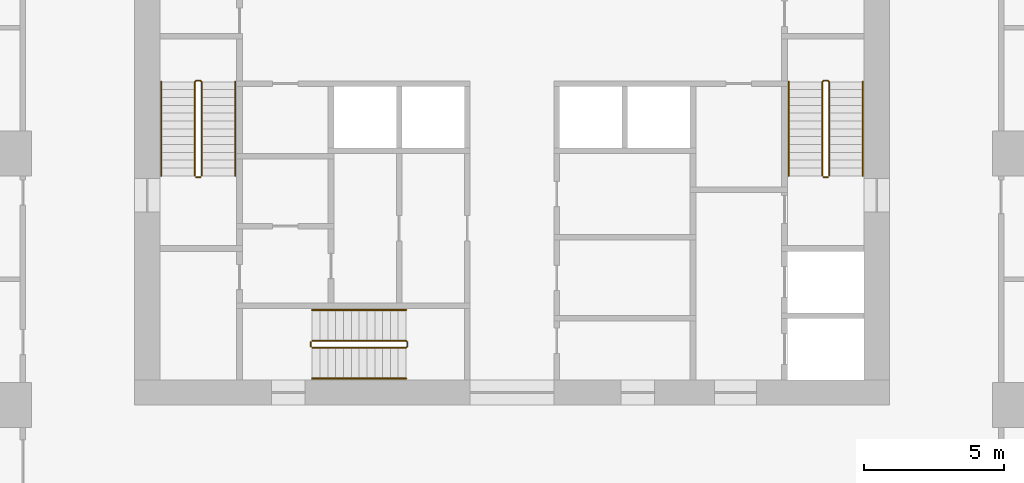
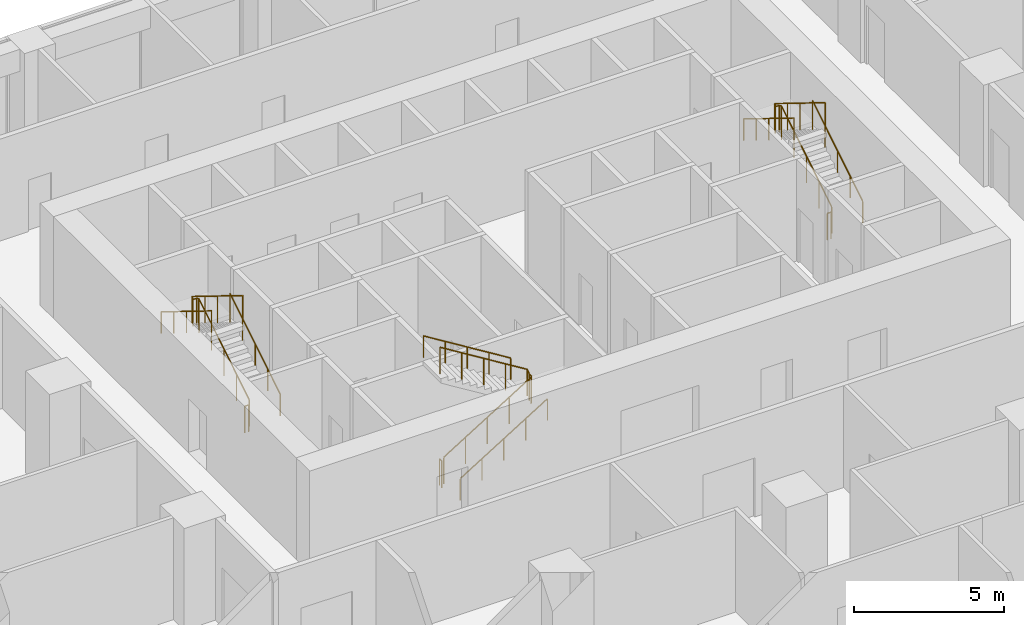
# One storey, part 18 of 18: 12 railings.
"""IFC4 building model written with IfcOpenShell, lengths in metres."""

from ifc_helpers import new_model, si_unit, direction, frame, origin, origin_2d, place, context, subcontext, project, spatial, circle, extrude, material, type_object, element, save


model = new_model("IFC4")

# Units and contexts
model_context = context("Model", 3, precision=1e-05, world=origin(), true_north=direction((0.0, 1.0)))
body_context = subcontext(model_context, "Body", "Model", "MODEL_VIEW")
ifc_project = project(units=[si_unit("LENGTHUNIT", "METRE"), si_unit("AREAUNIT", "SQUARE_METRE"), si_unit("VOLUMEUNIT", "CUBIC_METRE"), si_unit("PLANEANGLEUNIT", "RADIAN"), si_unit("MASSUNIT", "GRAM", prefix="KILO")], contexts=[model_context])

# Site, building, storey
site_placement = place(None, origin())
site = spatial("IfcSite", under=ifc_project, at=site_placement, CompositionType="ELEMENT")
building_placement = place(site_placement, origin())
building = spatial("IfcBuilding", under=site, at=building_placement, Name="Orbiselva Terraces", CompositionType="ELEMENT")
storey_placement = place(building_placement, frame((0.0, 0.0, 6.0)))
storey = spatial("IfcBuildingStorey", under=building, at=storey_placement, Name="L01", CompositionType="ELEMENT", Elevation=6.0)

# Railings
ifc_material = material(Name="Stainless steel", Category="steel")
railing_type_1 = type_object("IfcRailingType", Name="CORE-GUARD-1100", PredefinedType="GUARDRAIL", material=ifc_material)
railing_1_placement = place(storey_placement, frame((-11.1, 12.7, 0.173077)))
element("IfcRailing", 1, at=railing_1_placement, inside=storey, type_object=railing_type_1, Name="L01 S1 stair guard 1", PredefinedType="GUARDRAIL", context=body_context, shape_type="SweptSolid", body=[
    extrude(circle(Radius=0.024, at=origin_2d()), frame((0.0, 0.0, 1.081), z_axis=(0.0, 0.850613581029, 0.525791342426), x_axis=(-1.0, 0.0, 0.0)), (0.0, 0.0, 1.0), 3.95009),
    extrude(circle(Radius=0.024, at=origin_2d()), frame((0.0, 3.36, 3.157923), z_axis=(-0.707106781187, 0.707106781187, 0.0), x_axis=(-0.707106781187, -0.707106781187, 0.0)), (0.0, 0.0, 1.0), 0.070711),
    extrude(circle(Radius=0.024, at=origin_2d()), frame((-0.05, 3.41, 3.157923), z_axis=(-1.0, 0.0, 0.0), x_axis=(0.0, -1.0, 0.0)), (0.0, 0.0, 1.0), 0.15),
    extrude(circle(Radius=0.024, at=origin_2d()), frame((-0.2, 3.41, 3.157923), z_axis=(-0.267430740015, -0.267430740015, 0.92572220379), x_axis=(0.707106781187, -0.707106781187, 0.0)), (0.0, 0.0, 1.0), 0.186964),
    extrude(circle(Radius=0.024, at=origin_2d()), frame((-0.25, 3.36, 3.331), z_axis=(0.0, -0.850613581029, 0.525791342426), x_axis=(1.0, 0.0, 0.0)), (0.0, 0.0, 1.0), 3.95009),
    extrude(circle(Radius=0.021, at=origin_2d()), origin(), (0.0, 0.0, 1.0), 1.057),
    extrude(circle(Radius=0.021, at=origin_2d()), frame((0.0, 0.84, 0.519231)), (0.0, 0.0, 1.0), 1.057),
    extrude(circle(Radius=0.021, at=origin_2d()), frame((0.0, 1.68, 1.038461)), (0.0, 0.0, 1.0), 1.057),
    extrude(circle(Radius=0.021, at=origin_2d()), frame((0.0, 2.52, 1.557692)), (0.0, 0.0, 1.0), 1.057),
    extrude(circle(Radius=0.021, at=origin_2d()), frame((0.0, 3.36, 2.076923)), (0.0, 0.0, 1.0), 1.057),
    extrude(circle(Radius=0.021, at=origin_2d()), frame((-0.05, 3.41, 2.076923)), (0.0, 0.0, 1.0), 1.057),
    extrude(circle(Radius=0.021, at=origin_2d()), frame((-0.2, 3.41, 2.076923)), (0.0, 0.0, 1.0), 1.057),
    extrude(circle(Radius=0.021, at=origin_2d()), frame((-0.25, 3.36, 2.25)), (0.0, 0.0, 1.0), 1.057),
    extrude(circle(Radius=0.021, at=origin_2d()), frame((-0.25, 2.52, 2.769231)), (0.0, 0.0, 1.0), 1.057),
    extrude(circle(Radius=0.021, at=origin_2d()), frame((-0.25, 1.68, 3.288461)), (0.0, 0.0, 1.0), 1.057),
    extrude(circle(Radius=0.021, at=origin_2d()), frame((-0.25, 0.84, 3.807692)), (0.0, 0.0, 1.0), 1.057),
    extrude(circle(Radius=0.021, at=origin_2d()), frame((-0.25, 0.0, 4.326923)), (0.0, 0.0, 1.0), 1.057),
])
railing_2_placement = place(storey_placement, frame((-11.15, 12.65, 0.0)))
element("IfcRailing", 2, at=railing_2_placement, inside=storey, type_object=railing_type_1, Name="L01 S1 stair guard 2", PredefinedType="GUARDRAIL", context=body_context, shape_type="SweptSolid", body=[
    extrude(circle(Radius=0.024, at=origin_2d()), frame((0.0, 0.0, 1.081), z_axis=(-1.0, 0.0, 0.0), x_axis=(0.0, -1.0, 0.0)), (0.0, 0.0, 1.0), 0.15),
    extrude(circle(Radius=0.021, at=origin_2d()), origin(), (0.0, 0.0, 1.0), 1.057),
    extrude(circle(Radius=0.021, at=origin_2d()), frame((-0.15, 0.0, 0.0)), (0.0, 0.0, 1.0), 1.057),
])
railing_3_placement = place(storey_placement, frame((11.35, 12.7, 0.173077)))
element("IfcRailing", 3, at=railing_3_placement, inside=storey, type_object=railing_type_1, Name="L01 S2 stair guard 1", PredefinedType="GUARDRAIL", context=body_context, shape_type="SweptSolid", body=[
    extrude(circle(Radius=0.024, at=origin_2d()), frame((0.0, 0.0, 1.081), z_axis=(0.0, 0.850613581029, 0.525791342426), x_axis=(-1.0, 0.0, 0.0)), (0.0, 0.0, 1.0), 3.95009),
    extrude(circle(Radius=0.024, at=origin_2d()), frame((0.0, 3.36, 3.157923), z_axis=(-0.707106781187, 0.707106781187, 0.0), x_axis=(-0.707106781187, -0.707106781187, 0.0)), (0.0, 0.0, 1.0), 0.070711),
    extrude(circle(Radius=0.024, at=origin_2d()), frame((-0.05, 3.41, 3.157923), z_axis=(-1.0, 0.0, 0.0), x_axis=(0.0, -1.0, 0.0)), (0.0, 0.0, 1.0), 0.15),
    extrude(circle(Radius=0.024, at=origin_2d()), frame((-0.2, 3.41, 3.157923), z_axis=(-0.267430740015, -0.267430740015, 0.92572220379), x_axis=(0.707106781187, -0.707106781187, 0.0)), (0.0, 0.0, 1.0), 0.186964),
    extrude(circle(Radius=0.024, at=origin_2d()), frame((-0.25, 3.36, 3.331), z_axis=(0.0, -0.850613581029, 0.525791342426), x_axis=(1.0, 0.0, 0.0)), (0.0, 0.0, 1.0), 3.95009),
    extrude(circle(Radius=0.021, at=origin_2d()), origin(), (0.0, 0.0, 1.0), 1.057),
    extrude(circle(Radius=0.021, at=origin_2d()), frame((0.0, 0.84, 0.519231)), (0.0, 0.0, 1.0), 1.057),
    extrude(circle(Radius=0.021, at=origin_2d()), frame((0.0, 1.68, 1.038461)), (0.0, 0.0, 1.0), 1.057),
    extrude(circle(Radius=0.021, at=origin_2d()), frame((0.0, 2.52, 1.557692)), (0.0, 0.0, 1.0), 1.057),
    extrude(circle(Radius=0.021, at=origin_2d()), frame((0.0, 3.36, 2.076923)), (0.0, 0.0, 1.0), 1.057),
    extrude(circle(Radius=0.021, at=origin_2d()), frame((-0.05, 3.41, 2.076923)), (0.0, 0.0, 1.0), 1.057),
    extrude(circle(Radius=0.021, at=origin_2d()), frame((-0.2, 3.41, 2.076923)), (0.0, 0.0, 1.0), 1.057),
    extrude(circle(Radius=0.021, at=origin_2d()), frame((-0.25, 3.36, 2.25)), (0.0, 0.0, 1.0), 1.057),
    extrude(circle(Radius=0.021, at=origin_2d()), frame((-0.25, 2.52, 2.769231)), (0.0, 0.0, 1.0), 1.057),
    extrude(circle(Radius=0.021, at=origin_2d()), frame((-0.25, 1.68, 3.288461)), (0.0, 0.0, 1.0), 1.057),
    extrude(circle(Radius=0.021, at=origin_2d()), frame((-0.25, 0.84, 3.807692)), (0.0, 0.0, 1.0), 1.057),
    extrude(circle(Radius=0.021, at=origin_2d()), frame((-0.25, 0.0, 4.326923)), (0.0, 0.0, 1.0), 1.057),
])
railing_4_placement = place(storey_placement, frame((11.3, 12.65, 0.0)))
element("IfcRailing", 4, at=railing_4_placement, inside=storey, type_object=railing_type_1, Name="L01 S2 stair guard 2", PredefinedType="GUARDRAIL", context=body_context, shape_type="SweptSolid", body=[
    extrude(circle(Radius=0.024, at=origin_2d()), frame((0.0, 0.0, 1.081), z_axis=(-1.0, 0.0, 0.0), x_axis=(0.0, -1.0, 0.0)), (0.0, 0.0, 1.0), 0.15),
    extrude(circle(Radius=0.021, at=origin_2d()), origin(), (0.0, 0.0, 1.0), 1.057),
    extrude(circle(Radius=0.021, at=origin_2d()), frame((-0.15, 0.0, 0.0)), (0.0, 0.0, 1.0), 1.057),
])
railing_5_placement = place(storey_placement, frame((-7.15, 6.55, 0.173077)))
element("IfcRailing", 5, at=railing_5_placement, inside=storey, type_object=railing_type_1, Name="L01 S3 stair guard 1", PredefinedType="GUARDRAIL", context=body_context, shape_type="SweptSolid", body=[
    extrude(circle(Radius=0.024, at=origin_2d()), frame((0.0, 0.0, 1.081), z_axis=(0.850613581029, 0.0, 0.525791342426), x_axis=(0.0, 1.0, 0.0)), (0.0, 0.0, 1.0), 3.95009),
    extrude(circle(Radius=0.024, at=origin_2d()), frame((3.36, 0.0, 3.157923), z_axis=(0.707106781187, 0.707106781187, 0.0), x_axis=(-0.707106781187, 0.707106781187, 0.0)), (0.0, 0.0, 1.0), 0.070711),
    extrude(circle(Radius=0.024, at=origin_2d()), frame((3.41, 0.05, 3.157923), z_axis=(0.0, 1.0, 0.0), x_axis=(-1.0, 0.0, 0.0)), (0.0, 0.0, 1.0), 0.15),
    extrude(circle(Radius=0.024, at=origin_2d()), frame((3.41, 0.2, 3.157923), z_axis=(-0.267430740015, 0.267430740015, 0.92572220379), x_axis=(-0.707106781187, -0.707106781187, 0.0)), (0.0, 0.0, 1.0), 0.186964),
    extrude(circle(Radius=0.024, at=origin_2d()), frame((3.36, 0.25, 3.331), z_axis=(-0.850613581029, 0.0, 0.525791342426), x_axis=(0.0, -1.0, 0.0)), (0.0, 0.0, 1.0), 3.95009),
    extrude(circle(Radius=0.021, at=origin_2d()), origin(), (0.0, 0.0, 1.0), 1.057),
    extrude(circle(Radius=0.021, at=origin_2d()), frame((0.84, 0.0, 0.519231)), (0.0, 0.0, 1.0), 1.057),
    extrude(circle(Radius=0.021, at=origin_2d()), frame((1.68, 0.0, 1.038461)), (0.0, 0.0, 1.0), 1.057),
    extrude(circle(Radius=0.021, at=origin_2d()), frame((2.52, 0.0, 1.557692)), (0.0, 0.0, 1.0), 1.057),
    extrude(circle(Radius=0.021, at=origin_2d()), frame((3.36, 0.0, 2.076923)), (0.0, 0.0, 1.0), 1.057),
    extrude(circle(Radius=0.021, at=origin_2d()), frame((3.41, 0.05, 2.076923)), (0.0, 0.0, 1.0), 1.057),
    extrude(circle(Radius=0.021, at=origin_2d()), frame((3.41, 0.2, 2.076923)), (0.0, 0.0, 1.0), 1.057),
    extrude(circle(Radius=0.021, at=origin_2d()), frame((3.36, 0.25, 2.25)), (0.0, 0.0, 1.0), 1.057),
    extrude(circle(Radius=0.021, at=origin_2d()), frame((2.52, 0.25, 2.769231)), (0.0, 0.0, 1.0), 1.057),
    extrude(circle(Radius=0.021, at=origin_2d()), frame((1.68, 0.25, 3.288461)), (0.0, 0.0, 1.0), 1.057),
    extrude(circle(Radius=0.021, at=origin_2d()), frame((0.84, 0.25, 3.807692)), (0.0, 0.0, 1.0), 1.057),
    extrude(circle(Radius=0.021, at=origin_2d()), frame((0.0, 0.25, 4.326923)), (0.0, 0.0, 1.0), 1.057),
])
railing_6_placement = place(storey_placement, frame((-7.2, 6.6, 0.0)))
element("IfcRailing", 6, at=railing_6_placement, inside=storey, type_object=railing_type_1, Name="L01 S3 stair guard 2", PredefinedType="GUARDRAIL", context=body_context, shape_type="SweptSolid", body=[
    extrude(circle(Radius=0.024, at=origin_2d()), frame((0.0, 0.0, 1.081), z_axis=(0.0, 1.0, 0.0), x_axis=(-1.0, 0.0, 0.0)), (0.0, 0.0, 1.0), 0.15),
    extrude(circle(Radius=0.021, at=origin_2d()), origin(), (0.0, 0.0, 1.0), 1.057),
    extrude(circle(Radius=0.021, at=origin_2d()), frame((0.0, 0.15, 0.0)), (0.0, 0.0, 1.0), 1.057),
])
railing_type_2 = type_object("IfcRailingType", Name="CORE-HANDRAIL-900", PredefinedType="HANDRAIL", material=ifc_material)
railing_7_placement = place(storey_placement, frame((-9.9, 12.7, 0.173077)))
element("IfcRailing", 7, at=railing_7_placement, inside=storey, type_object=railing_type_2, Name="L01 S1 stair handrail 1", PredefinedType="HANDRAIL", context=body_context, shape_type="SweptSolid", body=[
    extrude(circle(Radius=0.024, at=origin_2d()), frame((0.0, 0.0, 0.876), z_axis=(0.0, 0.850613581029, 0.525791342426), x_axis=(-1.0, 0.0, 0.0)), (0.0, 0.0, 1.0), 3.95009),
    extrude(circle(Radius=0.021, at=origin_2d()), origin(), (0.0, 0.0, 1.0), 0.852),
    extrude(circle(Radius=0.021, at=origin_2d()), frame((0.0, 0.84, 0.519231)), (0.0, 0.0, 1.0), 0.852),
    extrude(circle(Radius=0.021, at=origin_2d()), frame((0.0, 1.68, 1.038461)), (0.0, 0.0, 1.0), 0.852),
    extrude(circle(Radius=0.021, at=origin_2d()), frame((0.0, 2.52, 1.557692)), (0.0, 0.0, 1.0), 0.852),
    extrude(circle(Radius=0.021, at=origin_2d()), frame((0.0, 3.36, 2.076923)), (0.0, 0.0, 1.0), 0.852),
])
railing_8_placement = place(storey_placement, frame((-12.55, 16.06, 2.423077)))
element("IfcRailing", 8, at=railing_8_placement, inside=storey, type_object=railing_type_2, Name="L01 S1 stair handrail 2", PredefinedType="HANDRAIL", context=body_context, shape_type="SweptSolid", body=[
    extrude(circle(Radius=0.024, at=origin_2d()), frame((0.0, 0.0, 0.876), z_axis=(0.0, -0.850613581029, 0.525791342426), x_axis=(1.0, 0.0, 0.0)), (0.0, 0.0, 1.0), 3.95009),
    extrude(circle(Radius=0.021, at=origin_2d()), origin(), (0.0, 0.0, 1.0), 0.852),
    extrude(circle(Radius=0.021, at=origin_2d()), frame((0.0, -0.84, 0.519231)), (0.0, 0.0, 1.0), 0.852),
    extrude(circle(Radius=0.021, at=origin_2d()), frame((0.0, -1.68, 1.038462)), (0.0, 0.0, 1.0), 0.852),
    extrude(circle(Radius=0.021, at=origin_2d()), frame((0.0, -2.52, 1.557692)), (0.0, 0.0, 1.0), 0.852),
    extrude(circle(Radius=0.021, at=origin_2d()), frame((0.0, -3.36, 2.076923)), (0.0, 0.0, 1.0), 0.852),
])
railing_9_placement = place(storey_placement, frame((12.55, 12.7, 0.173077)))
element("IfcRailing", 9, at=railing_9_placement, inside=storey, type_object=railing_type_2, Name="L01 S2 stair handrail 1", PredefinedType="HANDRAIL", context=body_context, shape_type="SweptSolid", body=[
    extrude(circle(Radius=0.024, at=origin_2d()), frame((0.0, 0.0, 0.876), z_axis=(0.0, 0.850613581029, 0.525791342426), x_axis=(-1.0, 0.0, 0.0)), (0.0, 0.0, 1.0), 3.95009),
    extrude(circle(Radius=0.021, at=origin_2d()), origin(), (0.0, 0.0, 1.0), 0.852),
    extrude(circle(Radius=0.021, at=origin_2d()), frame((0.0, 0.84, 0.519231)), (0.0, 0.0, 1.0), 0.852),
    extrude(circle(Radius=0.021, at=origin_2d()), frame((0.0, 1.68, 1.038461)), (0.0, 0.0, 1.0), 0.852),
    extrude(circle(Radius=0.021, at=origin_2d()), frame((0.0, 2.52, 1.557692)), (0.0, 0.0, 1.0), 0.852),
    extrude(circle(Radius=0.021, at=origin_2d()), frame((0.0, 3.36, 2.076923)), (0.0, 0.0, 1.0), 0.852),
])
railing_10_placement = place(storey_placement, frame((9.9, 16.06, 2.423077)))
element("IfcRailing", 10, at=railing_10_placement, inside=storey, type_object=railing_type_2, Name="L01 S2 stair handrail 2", PredefinedType="HANDRAIL", context=body_context, shape_type="SweptSolid", body=[
    extrude(circle(Radius=0.024, at=origin_2d()), frame((0.0, 0.0, 0.876), z_axis=(0.0, -0.850613581029, 0.525791342426), x_axis=(1.0, 0.0, 0.0)), (0.0, 0.0, 1.0), 3.95009),
    extrude(circle(Radius=0.021, at=origin_2d()), origin(), (0.0, 0.0, 1.0), 0.852),
    extrude(circle(Radius=0.021, at=origin_2d()), frame((0.0, -0.84, 0.519231)), (0.0, 0.0, 1.0), 0.852),
    extrude(circle(Radius=0.021, at=origin_2d()), frame((0.0, -1.68, 1.038462)), (0.0, 0.0, 1.0), 0.852),
    extrude(circle(Radius=0.021, at=origin_2d()), frame((0.0, -2.52, 1.557692)), (0.0, 0.0, 1.0), 0.852),
    extrude(circle(Radius=0.021, at=origin_2d()), frame((0.0, -3.36, 2.076923)), (0.0, 0.0, 1.0), 0.852),
])
railing_11_placement = place(storey_placement, frame((-7.15, 5.45, 0.173077)))
element("IfcRailing", 11, at=railing_11_placement, inside=storey, type_object=railing_type_2, Name="L01 S3 stair handrail 1", PredefinedType="HANDRAIL", context=body_context, shape_type="SweptSolid", body=[
    extrude(circle(Radius=0.024, at=origin_2d()), frame((0.0, 0.0, 0.876), z_axis=(0.850613581029, 0.0, 0.525791342426), x_axis=(0.0, 1.0, 0.0)), (0.0, 0.0, 1.0), 3.95009),
    extrude(circle(Radius=0.021, at=origin_2d()), origin(), (0.0, 0.0, 1.0), 0.852),
    extrude(circle(Radius=0.021, at=origin_2d()), frame((0.84, 0.0, 0.519231)), (0.0, 0.0, 1.0), 0.852),
    extrude(circle(Radius=0.021, at=origin_2d()), frame((1.68, 0.0, 1.038461)), (0.0, 0.0, 1.0), 0.852),
    extrude(circle(Radius=0.021, at=origin_2d()), frame((2.52, 0.0, 1.557692)), (0.0, 0.0, 1.0), 0.852),
    extrude(circle(Radius=0.021, at=origin_2d()), frame((3.36, 0.0, 2.076923)), (0.0, 0.0, 1.0), 0.852),
])
railing_12_placement = place(storey_placement, frame((-3.79, 7.9, 2.423077)))
element("IfcRailing", 12, at=railing_12_placement, inside=storey, type_object=railing_type_2, Name="L01 S3 stair handrail 2", PredefinedType="HANDRAIL", context=body_context, shape_type="SweptSolid", body=[
    extrude(circle(Radius=0.024, at=origin_2d()), frame((0.0, 0.0, 0.876), z_axis=(-0.850613581029, 0.0, 0.525791342426), x_axis=(0.0, -1.0, 0.0)), (0.0, 0.0, 1.0), 3.95009),
    extrude(circle(Radius=0.021, at=origin_2d()), origin(), (0.0, 0.0, 1.0), 0.852),
    extrude(circle(Radius=0.021, at=origin_2d()), frame((-0.84, 0.0, 0.519231)), (0.0, 0.0, 1.0), 0.852),
    extrude(circle(Radius=0.021, at=origin_2d()), frame((-1.68, 0.0, 1.038462)), (0.0, 0.0, 1.0), 0.852),
    extrude(circle(Radius=0.021, at=origin_2d()), frame((-2.52, 0.0, 1.557692)), (0.0, 0.0, 1.0), 0.852),
    extrude(circle(Radius=0.021, at=origin_2d()), frame((-3.36, 0.0, 2.076923)), (0.0, 0.0, 1.0), 0.852),
])

save(model, "model.ifc")
